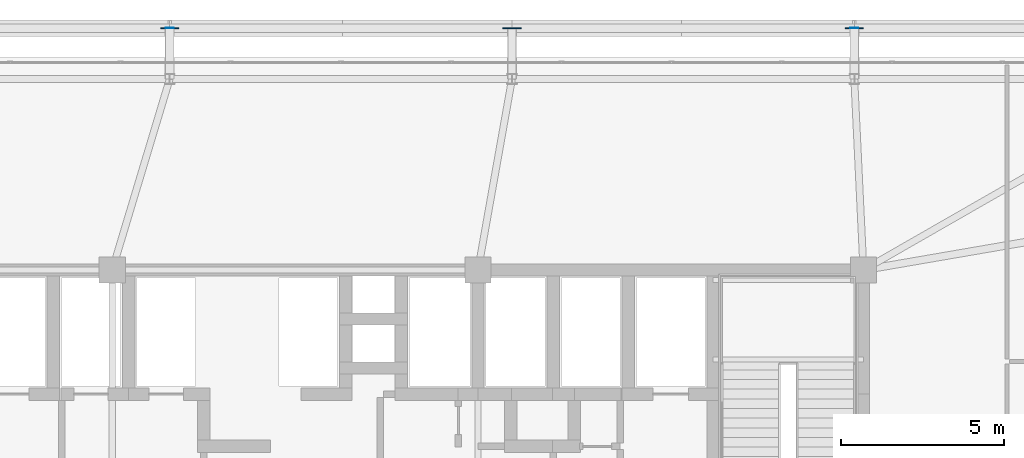
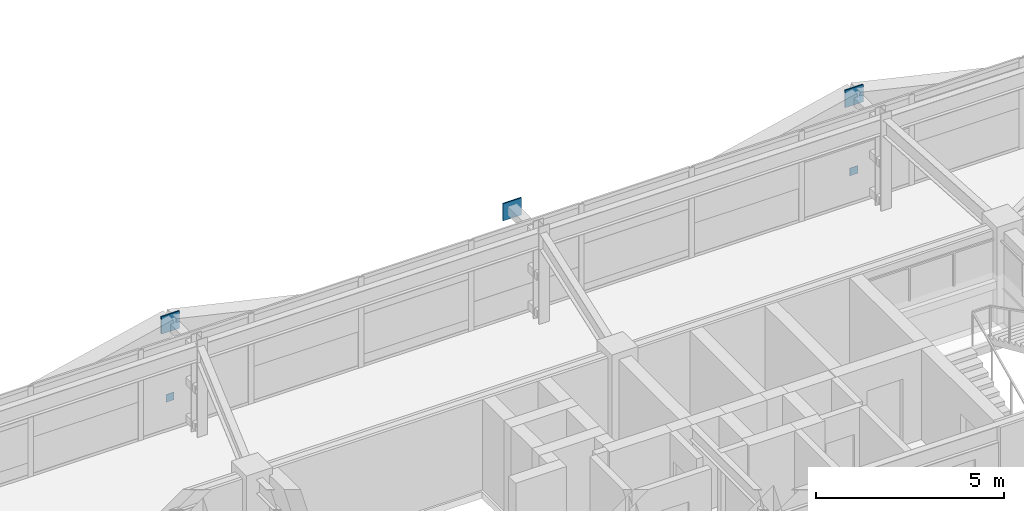
# One storey, part 50 of 59: 5 plates.
"""IFC4 building model written with IfcOpenShell, lengths in metres."""

from ifc_helpers import new_model, si_unit, direction, frame, origin, origin_2d, place, context, subcontext, project, spatial, rectangle, extrude, source, transform, mapped, material, layer, layer_set, type_object, element, save


model = new_model("IFC4")

# Units and contexts
model_context = context("Model", 3, precision=1e-05, world=origin(), true_north=direction((0.0, 1.0)))
body_context = subcontext(model_context, "Body", "Model", "MODEL_VIEW")
ifc_project = project(units=[si_unit("LENGTHUNIT", "METRE"), si_unit("AREAUNIT", "SQUARE_METRE"), si_unit("VOLUMEUNIT", "CUBIC_METRE"), si_unit("PLANEANGLEUNIT", "RADIAN"), si_unit("MASSUNIT", "GRAM", prefix="KILO")], contexts=[model_context])

# Site, building, storey
site_placement = place(None, origin())
site = spatial("IfcSite", under=ifc_project, at=site_placement, CompositionType="ELEMENT")
building_placement = place(site_placement, origin())
building = spatial("IfcBuilding", under=site, at=building_placement, Name="Taldren Reach Tower", CompositionType="ELEMENT")
storey_placement = place(building_placement, frame((0.0, 0.0, 26.25)))
storey = spatial("IfcBuildingStorey", under=building, at=storey_placement, Name="L07", CompositionType="ELEMENT", Elevation=26.25)

# Plates
ifc_material_1 = material(Name="Steel Gr 450 (C450L0)", Category="steel")
ifc_layer_1 = layer(ifc_material_1, 0.0400390625)
ifc_layer_set_1 = layer_set([ifc_layer_1], Name="Steel Gr 450 (C450L0)")
plate_type_1 = type_object("IfcPlateType", Name="PL-GUSSET-40", PredefinedType="SHEET", material=ifc_layer_set_1)
shared_shape_1 = source(origin(), body_context, "Body", "SweptSolid", [
    extrude(rectangle(XDim=0.56005859375, YDim=0.0400390625, at=origin_2d()), origin(), (0.0, 0.0, 1.0), 0.56005859375),
])
for number, where, z_axis, x_axis, name in (
    (1, (29.760009765625, 39.39990234375, 2.369873046875), (0.0, 0.0, 1.0), (1.0, 0.0, 0.0), "Exoskeleton star-node gusset plate B1-N3 L07"),
    (2, (40.239990234375, 39.39990234375, 2.369873046875), (0.0, 0.0, 1.0), (1.0, 0.0, 0.0), "Exoskeleton star-node gusset plate B1-N4 L07"),
    (3, (50.719970703125, 39.39990234375, 2.369873046875), (0.0, 0.0, 1.0), (1.0, 0.0, 0.0), "Exoskeleton star-node gusset plate B1-N5 L07"),
):
    element("IfcPlate", number, at=place(storey_placement, frame(where, z_axis=z_axis, x_axis=x_axis)), inside=storey, type_object=plate_type_1, Name=name, PredefinedType="SHEET", context=body_context, shape_type="MappedRepresentation", body=[
        mapped(shared_shape_1, transform((0.0, 0.0, 0.0), scale=1.0)),
    ])
ifc_material_2 = material(Name="Steel Gr 350 (C350L0)", Category="steel")
ifc_layer_2 = layer(ifc_material_2, 0.011962890625)
ifc_layer_set_2 = layer_set([ifc_layer_2], Name="Steel Gr 350 (C350L0)")
plate_type_2 = type_object("IfcPlateType", Name="PL-CAP-250", PredefinedType="SHEET", material=ifc_layer_set_2)
shared_shape_2 = source(origin(), body_context, "Body", "SweptSolid", [
    extrude(rectangle(XDim=0.25, YDim=0.011962890625, at=origin_2d()), origin(), (0.0, 0.0, 1.0), 0.25),
])
for number, where, z_axis, x_axis, name in (
    (4, (29.760009765625, 39.406005859375, 0.094970703125), (0.0, 0.0, 1.0), (1.0, 0.0, 0.0), "Tie strut end cap plate B1-N3 L07"),
    (5, (50.719970703125, 39.406005859375, 0.094970703125), (0.0, 0.0, 1.0), (1.0, 0.0, 0.0), "Tie strut end cap plate B1-N5 L07"),
):
    element("IfcPlate", number, at=place(storey_placement, frame(where, z_axis=z_axis, x_axis=x_axis)), inside=storey, type_object=plate_type_2, Name=name, PredefinedType="SHEET", context=body_context, shape_type="MappedRepresentation", body=[
        mapped(shared_shape_2, transform((0.0, 0.0, 0.0), scale=1.0)),
    ])

save(model, "model.ifc")
